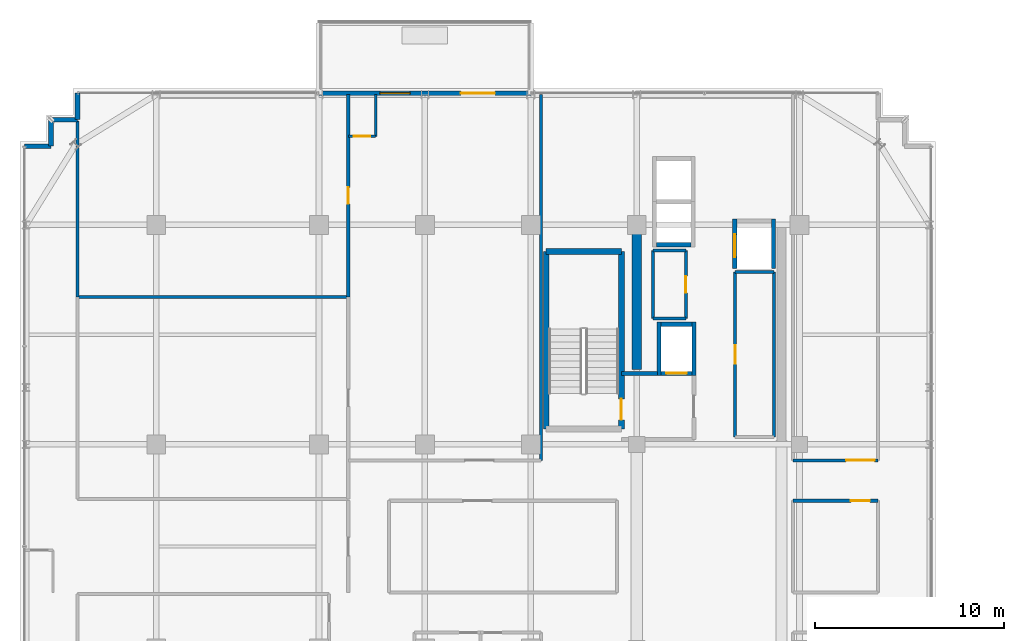
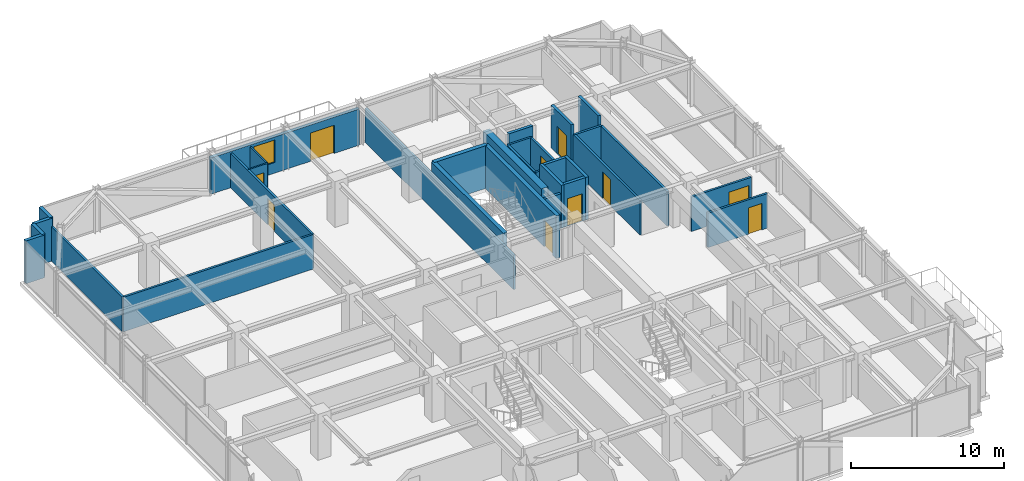
# One storey, part 38 of 42: 32 walls, 10 doors, 1 window, 11 openings.
"""IFC4 building model written with IfcOpenShell, lengths in metres."""

from ifc_helpers import new_model, si_unit, direction, frame, frame_2d, origin, place, context, subcontext, project, spatial, rectangle, extrude, source, transform, mapped, material, layer, layer_set, type_object, element, fill, save


model = new_model("IFC4")

# Units and contexts
model_context = context("Model", 3, precision=1e-05, world=origin(), true_north=direction((0.0, 1.0)))
body_context = subcontext(model_context, "Body", "Model", "MODEL_VIEW")
ifc_project = project(units=[si_unit("LENGTHUNIT", "METRE"), si_unit("AREAUNIT", "SQUARE_METRE"), si_unit("VOLUMEUNIT", "CUBIC_METRE"), si_unit("PLANEANGLEUNIT", "RADIAN"), si_unit("MASSUNIT", "GRAM", prefix="KILO")], contexts=[model_context])

# Site, building, storey
site_placement = place(None, origin())
site = spatial("IfcSite", under=ifc_project, at=site_placement, CompositionType="ELEMENT")
building_placement = place(site_placement, origin())
building = spatial("IfcBuilding", under=site, at=building_placement, Name="Nahalor Promenade Grand Hotel", CompositionType="ELEMENT")
storey_placement = place(building_placement, frame((0.0, 0.0, 249.300048828125)))
storey = spatial("IfcBuildingStorey", under=building, at=storey_placement, Name="L64", CompositionType="ELEMENT", Elevation=249.300048828125)

# Walls
ifc_material_1 = material(Name="Concrete B-60 (C50/60)", Category="concrete")
ifc_layer_1 = layer(ifc_material_1, 0.5)
ifc_layer_set_1 = layer_set([ifc_layer_1], Name="Concrete B-60 (C50/60)")
wall_type_1 = type_object("IfcWallType", Name="Wall-CoreShear-500", PredefinedType="SHEAR", material=ifc_layer_set_1)
shared_shape_1 = source(origin(), body_context, "Body", "SweptSolid", [
    extrude(rectangle(XDim=7.64990234375, YDim=0.5, at=frame_2d((3.824951171875, 0.0))), origin(), (0.0, 0.0, 1.0), 3.409912109375),
])
wall_1_placement = place(storey_placement, frame((8.39990234375, 9.35009765625, 0.0), z_axis=(0.0, 0.0, 1.0), x_axis=(0.0, 1.0, 0.0)))
element("IfcWall", 1, at=wall_1_placement, inside=storey, type_object=wall_type_1, Name="CWALL-L64-NW", PredefinedType="SHEAR", context=body_context, shape_type="MappedRepresentation", body=[
    mapped(shared_shape_1, transform((0.0, 0.0, 0.0), scale=1.0)),
])
ifc_material_2 = material(Name="Concrete B-50 (C40/50)", Category="concrete")
ifc_layer_2 = layer(ifc_material_2, 0.300048828125)
ifc_layer_set_2 = layer_set([ifc_layer_2], Name="Concrete B-50 (C40/50)")
wall_type_2 = type_object("IfcWallType", Name="Wall-ShaftShear-300", PredefinedType="SHEAR", material=ifc_layer_set_2)
shared_shape_2 = source(origin(), body_context, "Body", "SweptSolid", [
    extrude(rectangle(XDim=3.97998046875, YDim=0.300048828125, at=frame_2d((1.989990234375, 0.0))), origin(), (0.0, 0.0, 1.0), 3.409912109375),
])
wall_2_placement = place(storey_placement, frame((3.610107421875, 15.590087890625, 0.0), z_axis=(0.0, 0.0, 1.0), x_axis=(1.0, 0.0, 0.0)))
element("IfcWall", 2, at=wall_2_placement, inside=storey, type_object=wall_type_2, Name="L64 Exit Stair ST1 Shaft Wall N", PredefinedType="SHEAR", context=body_context, shape_type="MappedRepresentation", body=[
    mapped(shared_shape_2, transform((0.0, 0.0, 0.0), scale=1.0)),
])
shared_shape_3 = source(origin(), body_context, "Body", "SweptSolid", [
    extrude(rectangle(XDim=9.380126953125, YDim=0.300048828125, at=frame_2d((4.68994140625, 0.0))), origin(), (0.0, 0.0, 1.0), 3.409912109375),
])
wall_3_placement = place(storey_placement, frame((3.610107421875, 6.2099609375, 0.0), z_axis=(0.0, 0.0, 1.0), x_axis=(0.0, 1.0, 0.0)))
element("IfcWall", 3, at=wall_3_placement, inside=storey, type_object=wall_type_2, Name="L64 Exit Stair ST1 Shaft Wall W", PredefinedType="SHEAR", context=body_context, shape_type="MappedRepresentation", body=[
    mapped(shared_shape_3, transform((0.0, 0.0, 0.0), scale=1.0)),
])

# Wall, opening, door
wall_4_placement = place(storey_placement, frame((7.590087890625, 6.2099609375, 0.0), z_axis=(0.0, 0.0, 1.0), x_axis=(0.0, 1.0, 0.0)))
wall_4 = element("IfcWall", 4, at=wall_4_placement, inside=storey, type_object=wall_type_2, Name="L64 Exit Stair ST1 Shaft Wall E", PredefinedType="SHEAR", context=body_context, shape_type="MappedRepresentation", body=[
    mapped(shared_shape_3, transform((0.0, 0.0, 0.0), scale=1.0)),
])
opening_1_placement = place(wall_4_placement, frame((0.489990234375, 0.0, 0.0)))
opening_1 = element("IfcOpeningElement", 5, at=opening_1_placement, cuts=wall_4, Name="Opening D-ST1", PredefinedType="OPENING", context=body_context, shape_type="SweptSolid", body=[
    extrude(rectangle(XDim=1.10009765625, YDim=2.14990234375, at=frame_2d((0.550048828125, 1.074951171875))), frame((0.0, 0.159912109375, 0.0), z_axis=(0.0, -1.0, 0.0), x_axis=(1.0, 0.0, 0.0)), (0.0, 0.0, 1.0), 0.320068359375),
])
ifc_material_3 = material(Name="Steel S355JR", Category="steel")
door_type_1 = type_object("IfcDoorType", Name="Door-StairFire-1100", OperationType="NOTDEFINED", PredefinedType="DOOR", material=ifc_material_3)
shared_shape_4 = source(origin(), body_context, "Body", "SweptSolid", [
    extrude(rectangle(XDim=1.10009765625, YDim=2.14990234375, at=frame_2d((0.550048828125, 1.074951171875))), frame((0.0, 0.02490234375, 0.0), z_axis=(0.0, -1.0, 0.0), x_axis=(1.0, 0.0, 0.0)), (0.0, 0.0, 1.0), 0.050048828125),
])
door_1_placement = place(opening_1_placement, origin())
door_1 = element("IfcDoor", 6, at=door_1_placement, inside=storey, type_object=door_type_1, Name="DR-STAIR-ST1-L64", OperationType="SINGLE_SWING_LEFT", OverallHeight=2.14990234375, OverallWidth=1.10009765625, PredefinedType="DOOR", context=body_context, shape_type="MappedRepresentation", body=[
    mapped(shared_shape_4, transform((0.0, 0.0, 0.0), scale=1.0)),
])
fill(opening_1, door_1)

# Walls
ifc_layer_3 = layer(ifc_material_2, 0.219970703125)
ifc_layer_set_3 = layer_set([ifc_layer_3], Name="Concrete B-50 (C40/50)")
wall_type_3 = type_object("IfcWallType", Name="Wall-LiftShaft-220", PredefinedType="SHEAR", material=ifc_layer_set_3)
shared_shape_5 = source(origin(), body_context, "Body", "SweptSolid", [
    extrude(rectangle(XDim=1.820068359375, YDim=0.219970703125, at=frame_2d((0.91015625, 0.0))), origin(), (0.0, 0.0, 1.0), 3.409912109375),
])
wall_5_placement = place(storey_placement, frame((9.43994140625, 15.949951171875, 0.0), z_axis=(0.0, 0.0, 1.0), x_axis=(1.0, 0.0, 0.0)))
element("IfcWall", 7, at=wall_5_placement, inside=storey, type_object=wall_type_3, Name="L64 Lift OB1 Hoistway Wall S", PredefinedType="SHEAR", context=body_context, shape_type="MappedRepresentation", body=[
    mapped(shared_shape_5, transform((0.0, 0.0, 0.0), scale=1.0)),
])
shared_shape_6 = source(origin(), body_context, "Body", "SweptSolid", [
    extrude(rectangle(XDim=2.820068359375, YDim=0.219970703125, at=frame_2d((1.41015625, 0.0))), origin(), (0.0, 0.0, 1.0), 3.409912109375),
])
for number, where, z_axis, x_axis, name in (
    (8, (9.580078125, 9.0400390625, 0.0), (0.0, 0.0, 1.0), (0.0, 1.0, 0.0), "L64 Lift FL1 Hoistway Wall W"),
    (9, (11.419921875, 9.0400390625, 0.0), (0.0, 0.0, 1.0), (0.0, 1.0, 0.0), "L64 Lift FL1 Hoistway Wall E"),
):
    element("IfcWall", number, at=place(storey_placement, frame(where, z_axis=z_axis, x_axis=x_axis)), inside=storey, type_object=wall_type_3, Name=name, PredefinedType="SHEAR", context=body_context, shape_type="MappedRepresentation", body=[
        mapped(shared_shape_6, transform((0.0, 0.0, 0.0), scale=1.0)),
    ])

# Wall, opening, door
shared_shape_7 = source(origin(), body_context, "Body", "SweptSolid", [
    extrude(rectangle(XDim=1.6201171875, YDim=0.219970703125, at=frame_2d((0.81005859375, 0.0))), origin(), (0.0, 0.0, 1.0), 3.409912109375),
])
wall_6_placement = place(storey_placement, frame((9.68994140625, 9.14990234375, 0.0), z_axis=(0.0, 0.0, 1.0), x_axis=(1.0, 0.0, 0.0)))
wall_6 = element("IfcWall", 10, at=wall_6_placement, inside=storey, type_object=wall_type_3, Name="L64 Lift FL1 Hoistway Wall S", PredefinedType="SHEAR", context=body_context, shape_type="MappedRepresentation", body=[
    mapped(shared_shape_7, transform((0.0, 0.0, 0.0), scale=1.0)),
])
opening_2_placement = place(wall_6_placement, frame((0.260009765625, 0.0, 0.0)))
opening_2 = element("IfcOpeningElement", 11, at=opening_2_placement, cuts=wall_6, Name="Opening LD-02", PredefinedType="OPENING", context=body_context, shape_type="SweptSolid", body=[
    extrude(rectangle(XDim=1.10009765625, YDim=2.199951171875, at=frame_2d((0.550048828125, 1.10009765625))), frame((0.0, 0.119873046875, 0.0), z_axis=(0.0, -1.0, 0.0), x_axis=(1.0, 0.0, 0.0)), (0.0, 0.0, 1.0), 0.239990234375),
])
door_type_2 = type_object("IfcDoorType", Name="Door-LiftFF-1100", OperationType="DOUBLE_DOOR_SLIDING", PredefinedType="DOOR", material=ifc_material_3)
shared_shape_8 = source(origin(), body_context, "Body", "SweptSolid", [
    extrude(rectangle(XDim=1.10009765625, YDim=2.199951171875, at=frame_2d((0.550048828125, 1.10009765625))), frame((0.0, 0.02490234375, 0.0), z_axis=(0.0, -1.0, 0.0), x_axis=(1.0, 0.0, 0.0)), (0.0, 0.0, 1.0), 0.050048828125),
])
door_2_placement = place(opening_2_placement, frame((1.10009765625, 0.0, 0.0), z_axis=(0.0, 0.0, 1.0), x_axis=(-1.0, 0.0, 0.0)))
door_2 = element("IfcDoor", 12, at=door_2_placement, inside=storey, type_object=door_type_2, Name="DR-LIFT-FL1-L64", OperationType="DOUBLE_DOOR_SLIDING", OverallHeight=2.199951171875, OverallWidth=1.10009765625, PredefinedType="DOOR", context=body_context, shape_type="MappedRepresentation", body=[
    mapped(shared_shape_8, transform((0.0, 0.0, 0.0), scale=1.0)),
])
fill(opening_2, door_2)

# Wall
wall_7_placement = place(storey_placement, frame((9.68994140625, 11.75, 0.0), z_axis=(0.0, 0.0, 1.0), x_axis=(1.0, 0.0, 0.0)))
element("IfcWall", 13, at=wall_7_placement, inside=storey, type_object=wall_type_3, Name="L64 Lift FL1 Hoistway Wall N", PredefinedType="SHEAR", context=body_context, shape_type="MappedRepresentation", body=[
    mapped(shared_shape_7, transform((0.0, 0.0, 0.0), scale=1.0)),
])

# Wall, opening, door
shared_shape_9 = source(origin(), body_context, "Body", "SweptSolid", [
    extrude(rectangle(XDim=2.610107421875, YDim=0.219970703125, at=frame_2d((1.30517578125, 0.0))), origin(), (0.0, 0.0, 1.0), 3.409912109375),
])
wall_8_placement = place(storey_placement, frame((13.580078125, 14.699951171875, 0.0), z_axis=(0.0, 0.0, 1.0), x_axis=(0.0, 1.0, 0.0)))
wall_8 = element("IfcWall", 14, at=wall_8_placement, inside=storey, type_object=wall_type_3, Name="L64 Lift SV1 Hoistway Wall W", PredefinedType="SHEAR", context=body_context, shape_type="MappedRepresentation", body=[
    mapped(shared_shape_9, transform((0.0, 0.0, 0.0), scale=1.0)),
])
opening_3_placement = place(wall_8_placement, frame((0.60009765625, 0.0, 0.0)))
opening_3 = element("IfcOpeningElement", 15, at=opening_3_placement, cuts=wall_8, Name="Opening LD-03", PredefinedType="OPENING", context=body_context, shape_type="SweptSolid", body=[
    extrude(rectangle(XDim=1.199951171875, YDim=2.199951171875, at=frame_2d((0.60009765625, 1.10009765625))), frame((0.0, 0.119873046875, 0.0), z_axis=(0.0, -1.0, 0.0), x_axis=(1.0, 0.0, 0.0)), (0.0, 0.0, 1.0), 0.239990234375),
])
door_type_3 = type_object("IfcDoorType", Name="Door-LiftService-1200", OperationType="DOUBLE_DOOR_SLIDING", PredefinedType="DOOR", material=ifc_material_3)
shared_shape_10 = source(origin(), body_context, "Body", "SweptSolid", [
    extrude(rectangle(XDim=1.199951171875, YDim=2.199951171875, at=frame_2d((0.60009765625, 1.10009765625))), frame((0.0, 0.02490234375, 0.0), z_axis=(0.0, -1.0, 0.0), x_axis=(1.0, 0.0, 0.0)), (0.0, 0.0, 1.0), 0.050048828125),
])
door_3_placement = place(opening_3_placement, origin())
door_3 = element("IfcDoor", 16, at=door_3_placement, inside=storey, type_object=door_type_3, Name="DR-LIFT-SV1-L64", OperationType="DOUBLE_DOOR_SLIDING", OverallHeight=2.199951171875, OverallWidth=1.199951171875, PredefinedType="DOOR", context=body_context, shape_type="MappedRepresentation", body=[
    mapped(shared_shape_10, transform((0.0, 0.0, 0.0), scale=1.0)),
])
fill(opening_3, door_3)

# Walls
wall_9_placement = place(storey_placement, frame((15.6201171875, 14.699951171875, 0.0), z_axis=(0.0, 0.0, 1.0), x_axis=(0.0, 1.0, 0.0)))
element("IfcWall", 17, at=wall_9_placement, inside=storey, type_object=wall_type_3, Name="L64 Lift SV1 Hoistway Wall E", PredefinedType="SHEAR", context=body_context, shape_type="MappedRepresentation", body=[
    mapped(shared_shape_9, transform((0.0, 0.0, 0.0), scale=1.0)),
])
ifc_material_4 = material(Name="Concrete B-40 (C32/40)", Category="concrete")
ifc_layer_4 = layer(ifc_material_4, 0.25)
ifc_layer_set_4 = layer_set([ifc_layer_4], Name="Concrete B-40 (C32/40)")
wall_type_4 = type_object("IfcWallType", Name="Wall-BronzePier-250", PredefinedType="STANDARD", material=ifc_layer_set_4)
shared_shape_11 = source(origin(), body_context, "Body", "SweptSolid", [
    extrude(rectangle(XDim=1.39990234375, YDim=0.25, at=frame_2d((0.699951171875, 0.0))), origin(), (0.0, 0.0, 1.0), 3.409912109375),
])
for number, where, z_axis, x_axis, name in (
    (18, (-21.159912109375, 22.56005859375, 0.0), (0.0, 0.0, 1.0), (0.0, 1.0, 0.0), "W-L64-SR-09"),
    (19, (-23.9599609375, 21.159912109375, 0.0), (0.0, 0.0, 1.0), (1.0, 0.0, 0.0), "W-L64-SR-12"),
):
    element("IfcWall", number, at=place(storey_placement, frame(where, z_axis=z_axis, x_axis=x_axis)), inside=storey, type_object=wall_type_4, Name=name, PredefinedType="STANDARD", context=body_context, shape_type="MappedRepresentation", body=[
        mapped(shared_shape_11, transform((0.0, 0.0, 0.0), scale=1.0)),
    ])
shared_shape_12 = source(origin(), body_context, "Body", "SweptSolid", [
    extrude(rectangle(XDim=1.400146484375, YDim=0.25, at=frame_2d((0.7001953125, 0.0))), origin(), (0.0, 0.0, 1.0), 3.409912109375),
])
for number, where, z_axis, x_axis, name in (
    (20, (-22.56005859375, 22.56005859375, 0.0), (0.0, 0.0, 1.0), (1.0, 0.0, 0.0), "W-L64-SR-10"),
    (21, (-22.56005859375, 21.159912109375, 0.0), (0.0, 0.0, 1.0), (0.0, 1.0, 0.0), "W-L64-SR-11"),
):
    element("IfcWall", number, at=place(storey_placement, frame(where, z_axis=z_axis, x_axis=x_axis)), inside=storey, type_object=wall_type_4, Name=name, PredefinedType="STANDARD", context=body_context, shape_type="MappedRepresentation", body=[
        mapped(shared_shape_12, transform((0.0, 0.0, 0.0), scale=1.0)),
    ])

# Wall, openings, door, window
ifc_layer_5 = layer(ifc_material_4, 0.260009765625)
ifc_layer_set_5 = layer_set([ifc_layer_5], Name="Concrete B-40 (C32/40)")
wall_type_5 = type_object("IfcWallType", Name="Wall-BalconyWall-260", PredefinedType="STANDARD", material=ifc_layer_set_5)
shared_shape_13 = source(origin(), body_context, "Body", "SweptSolid", [
    extrude(rectangle(XDim=11.199951171875, YDim=0.260009765625, at=frame_2d((5.60009765625, 0.0))), origin(), (0.0, 0.0, 1.0), 2.889892578125),
])
wall_10_placement = place(storey_placement, frame((-8.39990234375, 23.9599609375, 0.0), z_axis=(0.0, 0.0, 1.0), x_axis=(1.0, 0.0, 0.0)))
wall_10 = element("IfcWall", 22, at=wall_10_placement, inside=storey, type_object=wall_type_5, Name="W-L64-BALC-N-2", PredefinedType="STANDARD", context=body_context, shape_type="MappedRepresentation", body=[
    mapped(shared_shape_13, transform((0.0, 0.0, 0.0), scale=1.0)),
])
opening_4_placement = place(wall_10_placement, frame((7.5, 0.0, 0.0)))
opening_4 = element("IfcOpeningElement", 23, at=opening_4_placement, cuts=wall_10, Name="Opening D-BC1", PredefinedType="OPENING", context=body_context, shape_type="SweptSolid", body=[
    extrude(rectangle(XDim=1.800048828125, YDim=2.25, at=frame_2d((0.89990234375, 1.125))), frame((0.0, 0.139892578125, 0.0), z_axis=(0.0, -1.0, 0.0), x_axis=(1.0, 0.0, 0.0)), (0.0, 0.0, 1.0), 0.280029296875),
])
opening_5_placement = place(wall_10_placement, frame((3.22509765625, 0.0, 0.85009765625)))
opening_5 = element("IfcOpeningElement", 24, at=opening_5_placement, cuts=wall_10, Name="Opening WN-03", PredefinedType="OPENING", context=body_context, shape_type="SweptSolid", body=[
    extrude(rectangle(XDim=1.60009765625, YDim=1.800048828125, at=frame_2d((0.800048828125, 0.89990234375))), frame((0.0, 0.139892578125, 0.0), z_axis=(0.0, -1.0, 0.0), x_axis=(1.0, 0.0, 0.0)), (0.0, 0.0, 1.0), 0.280029296875),
])
ifc_material_5 = material(Name="Anodised Bronze Aluminium EN AW-6063 T6", Category="aluminium")
door_type_4 = type_object("IfcDoorType", Name="Door-BalconySlide-1800", OperationType="DOUBLE_DOOR_SLIDING", PredefinedType="DOOR", material=ifc_material_5)
shared_shape_14 = source(origin(), body_context, "Body", "SweptSolid", [
    extrude(rectangle(XDim=1.800048828125, YDim=2.25, at=frame_2d((0.89990234375, 1.125))), frame((0.0, 0.02490234375, 0.0), z_axis=(0.0, -1.0, 0.0), x_axis=(1.0, 0.0, 0.0)), (0.0, 0.0, 1.0), 0.050048828125),
])
door_4_placement = place(opening_4_placement, origin())
door_4 = element("IfcDoor", 25, at=door_4_placement, inside=storey, type_object=door_type_4, Name="DR-L64-BALC-N-2", OperationType="DOUBLE_DOOR_SLIDING", OverallHeight=2.25, OverallWidth=1.800048828125, PredefinedType="DOOR", context=body_context, shape_type="MappedRepresentation", body=[
    mapped(shared_shape_14, transform((0.0, 0.0, 0.0), scale=1.0)),
])
fill(opening_4, door_4)
ifc_material_6 = material(Name="Low-E Laminated Solar Glass", Category="glass")
window_type = type_object("IfcWindowType", Name="Win-CrownVented-1600x1800", PartitioningType="SINGLE_PANEL", PredefinedType="WINDOW", material=ifc_material_6)
shared_shape_15 = source(origin(), body_context, "Body", "SweptSolid", [
    extrude(rectangle(XDim=1.60009765625, YDim=1.800048828125, at=frame_2d((0.800048828125, 0.89990234375))), frame((0.0, 0.030029296875, 0.0), z_axis=(0.0, -1.0, 0.0), x_axis=(1.0, 0.0, 0.0)), (0.0, 0.0, 1.0), 0.06005859375),
])
window_placement = place(opening_5_placement, origin())
window = element("IfcWindow", 26, at=window_placement, inside=storey, type_object=window_type, Name="WN-L64-BALC-N-2-1", OverallHeight=1.800048828125, OverallWidth=1.60009765625, PartitioningType="SINGLE_PANEL", PredefinedType="WINDOW", context=body_context, shape_type="MappedRepresentation", body=[
    mapped(shared_shape_15, transform((0.0, 0.0, 0.0), scale=1.0)),
])
fill(opening_5, window)

# Walls
ifc_layer_6 = layer(ifc_material_4, 0.199951171875)
ifc_layer_set_6 = layer_set([ifc_layer_6], Name="Concrete B-40 (C32/40)")
wall_type_6 = type_object("IfcWallType", Name="Wall-PartFire-200", PredefinedType="PARTITIONING", material=ifc_layer_set_6)
shared_shape_16 = source(origin(), body_context, "Body", "SweptSolid", [
    extrude(rectangle(XDim=1.89990234375, YDim=0.199951171875, at=frame_2d((0.949951171875, 0.0))), origin(), (0.0, 0.0, 1.0), 2.75),
])
wall_11_placement = place(storey_placement, frame((7.60009765625, 9.14990234375, 0.0), z_axis=(0.0, 0.0, 1.0), x_axis=(1.0, 0.0, 0.0)))
element("IfcWall", 27, at=wall_11_placement, inside=storey, type_object=wall_type_6, Name="W-L64-FF1-N", PredefinedType="PARTITIONING", context=body_context, shape_type="MappedRepresentation", body=[
    mapped(shared_shape_16, transform((0.0, 0.0, 0.0), scale=1.0)),
])
ifc_material_7 = material(Name="Acoustic Mineral Gypsum", Category="gypsum")
ifc_layer_7 = layer(ifc_material_7, 0.14990234375)
ifc_layer_set_7 = layer_set([ifc_layer_7], Name="Acoustic Mineral Gypsum")
wall_type_7 = type_object("IfcWallType", Name="Wall-PartService-150", PredefinedType="PARTITIONING", material=ifc_layer_set_7)
shared_shape_17 = source(origin(), body_context, "Body", "SweptSolid", [
    extrude(rectangle(XDim=1.75, YDim=0.14990234375, at=frame_2d((0.875, 0.0))), origin(), (0.0, 0.0, 1.0), 2.75),
])
for number, where, z_axis, x_axis, name in (
    (28, (9.25, 12.050048828125, 0.0), (0.0, 0.0, 1.0), (1.0, 0.0, 0.0), "W-L64-CK1A-S"),
    (29, (9.25, 15.64990234375, 0.0), (0.0, 0.0, 1.0), (1.0, 0.0, 0.0), "W-L64-CK1A-N"),
):
    element("IfcWall", number, at=place(storey_placement, frame(where, z_axis=z_axis, x_axis=x_axis)), inside=storey, type_object=wall_type_7, Name=name, PredefinedType="PARTITIONING", context=body_context, shape_type="MappedRepresentation", body=[
        mapped(shared_shape_17, transform((0.0, 0.0, 0.0), scale=1.0)),
    ])
shared_shape_18 = source(origin(), body_context, "Body", "SweptSolid", [
    extrude(rectangle(XDim=3.599853515625, YDim=0.14990234375, at=frame_2d((1.7998046875, 0.0))), origin(), (0.0, 0.0, 1.0), 2.75),
])
wall_12_placement = place(storey_placement, frame((9.25, 12.050048828125, 0.0), z_axis=(0.0, 0.0, 1.0), x_axis=(0.0, 1.0, 0.0)))
element("IfcWall", 30, at=wall_12_placement, inside=storey, type_object=wall_type_7, Name="W-L64-CK1A-W", PredefinedType="PARTITIONING", context=body_context, shape_type="MappedRepresentation", body=[
    mapped(shared_shape_18, transform((0.0, 0.0, 0.0), scale=1.0)),
])

# Wall, opening, door
wall_13_placement = place(storey_placement, frame((11.0, 12.050048828125, 0.0), z_axis=(0.0, 0.0, 1.0), x_axis=(0.0, 1.0, 0.0)))
wall_13 = element("IfcWall", 31, at=wall_13_placement, inside=storey, type_object=wall_type_7, Name="W-L64-CK1A-E", PredefinedType="PARTITIONING", context=body_context, shape_type="MappedRepresentation", body=[
    mapped(shared_shape_18, transform((0.0, 0.0, 0.0), scale=1.0)),
])
opening_6_placement = place(wall_13_placement, frame((1.360107421875, 0.0, 0.0)))
opening_6 = element("IfcOpeningElement", 32, at=opening_6_placement, cuts=wall_13, Name="Opening D-03", PredefinedType="OPENING", context=body_context, shape_type="SweptSolid", body=[
    extrude(rectangle(XDim=0.8798828125, YDim=2.10009765625, at=frame_2d((0.43994140625, 1.050048828125))), frame((0.0, 0.0849609375, 0.0), z_axis=(0.0, -1.0, 0.0), x_axis=(1.0, 0.0, 0.0)), (0.0, 0.0, 1.0), 0.169921875),
])
ifc_material_8 = material(Name="Fire-Rated Timber Composite", Category="wood")
door_type_5 = type_object("IfcDoorType", Name="Door-BathSwing-880", OperationType="NOTDEFINED", PredefinedType="DOOR", material=ifc_material_8)
shared_shape_19 = source(origin(), body_context, "Body", "SweptSolid", [
    extrude(rectangle(XDim=0.8798828125, YDim=2.10009765625, at=frame_2d((0.43994140625, 1.050048828125))), frame((0.0, 0.02490234375, 0.0), z_axis=(0.0, -1.0, 0.0), x_axis=(1.0, 0.0, 0.0)), (0.0, 0.0, 1.0), 0.050048828125),
])
door_5_placement = place(opening_6_placement, origin())
door_5 = element("IfcDoor", 33, at=door_5_placement, inside=storey, type_object=door_type_5, Name="DR-L64-CK1A", OperationType="SINGLE_SWING_LEFT", OverallHeight=2.10009765625, OverallWidth=0.8798828125, PredefinedType="DOOR", context=body_context, shape_type="MappedRepresentation", body=[
    mapped(shared_shape_19, transform((0.0, 0.0, 0.0), scale=1.0)),
])
fill(opening_6, door_5)

# Wall
ifc_layer_8 = layer(ifc_material_7, 0.159912109375)
ifc_layer_set_8 = layer_set([ifc_layer_8], Name="Acoustic Mineral Gypsum")
wall_type_8 = type_object("IfcWallType", Name="Wall-PartCorridor-160", PredefinedType="PARTITIONING", material=ifc_layer_set_8)
shared_shape_20 = source(origin(), body_context, "Body", "SweptSolid", [
    extrude(rectangle(XDim=2.0498046875, YDim=0.159912109375, at=frame_2d((1.02490234375, 0.0))), origin(), (0.0, 0.0, 1.0), 2.75),
])
wall_14_placement = place(storey_placement, frame((13.60009765625, 14.5, 0.0), z_axis=(0.0, 0.0, 1.0), x_axis=(1.0, 0.0, 0.0)))
element("IfcWall", 34, at=wall_14_placement, inside=storey, type_object=wall_type_8, Name="W-L64-FRB1-N", PredefinedType="PARTITIONING", context=body_context, shape_type="MappedRepresentation", body=[
    mapped(shared_shape_20, transform((0.0, 0.0, 0.0), scale=1.0)),
])

# Wall, opening, door
shared_shape_21 = source(origin(), body_context, "Body", "SweptSolid", [
    extrude(rectangle(XDim=8.699951171875, YDim=0.159912109375, at=frame_2d((4.35009765625, 0.0))), origin(), (0.0, 0.0, 1.0), 2.75),
])
wall_15_placement = place(storey_placement, frame((13.60009765625, 5.800048828125, 0.0), z_axis=(0.0, 0.0, 1.0), x_axis=(0.0, 1.0, 0.0)))
wall_15 = element("IfcWall", 35, at=wall_15_placement, inside=storey, type_object=wall_type_8, Name="W-L64-FRB1-W", PredefinedType="PARTITIONING", context=body_context, shape_type="MappedRepresentation", body=[
    mapped(shared_shape_21, transform((0.0, 0.0, 0.0), scale=1.0)),
])
opening_7_placement = place(wall_15_placement, frame((3.85009765625, 0.0, 0.0)))
opening_7 = element("IfcOpeningElement", 36, at=opening_7_placement, cuts=wall_15, Name="Opening D-04", PredefinedType="OPENING", context=body_context, shape_type="SweptSolid", body=[
    extrude(rectangle(XDim=1.0, YDim=2.10009765625, at=frame_2d((0.5, 1.050048828125))), frame((0.0, 0.08984375, 0.0), z_axis=(0.0, -1.0, 0.0), x_axis=(1.0, 0.0, 0.0)), (0.0, 0.0, 1.0), 0.179931640625),
])
door_type_6 = type_object("IfcDoorType", Name="Door-ServiceFire-1000", OperationType="NOTDEFINED", PredefinedType="DOOR", material=ifc_material_3)
shared_shape_22 = source(origin(), body_context, "Body", "SweptSolid", [
    extrude(rectangle(XDim=1.0, YDim=2.10009765625, at=frame_2d((0.5, 1.050048828125))), frame((0.0, 0.02490234375, 0.0), z_axis=(0.0, -1.0, 0.0), x_axis=(1.0, 0.0, 0.0)), (0.0, 0.0, 1.0), 0.050048828125),
])
door_6_placement = place(opening_7_placement, frame((1.0, 0.0, 0.0), z_axis=(0.0, 0.0, 1.0), x_axis=(-1.0, 0.0, 0.0)))
door_6 = element("IfcDoor", 37, at=door_6_placement, inside=storey, type_object=door_type_6, Name="DR-L64-FRB1", OperationType="SINGLE_SWING_RIGHT", OverallHeight=2.10009765625, OverallWidth=1.0, PredefinedType="DOOR", context=body_context, shape_type="MappedRepresentation", body=[
    mapped(shared_shape_22, transform((0.0, 0.0, 0.0), scale=1.0)),
])
fill(opening_7, door_6)

# Walls
wall_16_placement = place(storey_placement, frame((15.64990234375, 5.800048828125, 0.0), z_axis=(0.0, 0.0, 1.0), x_axis=(0.0, 1.0, 0.0)))
element("IfcWall", 38, at=wall_16_placement, inside=storey, type_object=wall_type_8, Name="W-L64-FRB1-E", PredefinedType="PARTITIONING", context=body_context, shape_type="MappedRepresentation", body=[
    mapped(shared_shape_21, transform((0.0, 0.0, 0.0), scale=1.0)),
])
ifc_layer_9 = layer(ifc_material_7, 0.1201171875)
ifc_layer_set_9 = layer_set([ifc_layer_9], Name="Acoustic Mineral Gypsum")
wall_type_9 = type_object("IfcWallType", Name="Wall-PartBath-120", PredefinedType="PARTITIONING", material=ifc_layer_set_9)
shared_shape_23 = source(origin(), body_context, "Body", "SweptSolid", [
    extrude(rectangle(XDim=2.219970703125, YDim=0.1201171875, at=frame_2d((1.10986328125, 0.0))), origin(), (0.0, 0.0, 1.0), 2.75),
])
wall_17_placement = place(storey_placement, frame((-5.39990234375, 21.679931640625, 0.0), z_axis=(0.0, 0.0, 1.0), x_axis=(0.0, 1.0, 0.0)))
element("IfcWall", 39, at=wall_17_placement, inside=storey, type_object=wall_type_9, Name="W-L64-N1-BV", PredefinedType="PARTITIONING", context=body_context, shape_type="MappedRepresentation", body=[
    mapped(shared_shape_23, transform((0.0, 0.0, 0.0), scale=1.0)),
])
ifc_layer_10 = layer(ifc_material_7, 0.139892578125)
ifc_layer_set_10 = layer_set([ifc_layer_10], Name="Acoustic Mineral Gypsum")
wall_type_10 = type_object("IfcWallType", Name="Wall-PartSuite-140", PredefinedType="PARTITIONING", material=ifc_layer_set_10)
shared_shape_24 = source(origin(), body_context, "Body", "SweptSolid", [
    extrude(rectangle(XDim=19.349853515625, YDim=0.139892578125, at=frame_2d((9.6748046875, 0.0))), origin(), (0.0, 0.0, 1.0), 2.75),
])
wall_18_placement = place(storey_placement, frame((3.340087890625, 4.550048828125, 0.0), z_axis=(0.0, 0.0, 1.0), x_axis=(0.0, 1.0, 0.0)))
element("IfcWall", 40, at=wall_18_placement, inside=storey, type_object=wall_type_10, Name="W-L64-NW-ENDE", PredefinedType="PARTITIONING", context=body_context, shape_type="MappedRepresentation", body=[
    mapped(shared_shape_24, transform((0.0, 0.0, 0.0), scale=1.0)),
])

# Wall, opening, door
shared_shape_25 = source(origin(), body_context, "Body", "SweptSolid", [
    extrude(rectangle(XDim=1.4501953125, YDim=0.1201171875, at=frame_2d((0.72509765625, 0.0))), origin(), (0.0, 0.0, 1.0), 2.75),
])
wall_19_placement = place(storey_placement, frame((-6.85009765625, 21.679931640625, 0.0), z_axis=(0.0, 0.0, 1.0), x_axis=(1.0, 0.0, 0.0)))
wall_19 = element("IfcWall", 41, at=wall_19_placement, inside=storey, type_object=wall_type_9, Name="W-L64-N1-BH", PredefinedType="PARTITIONING", context=body_context, shape_type="MappedRepresentation", body=[
    mapped(shared_shape_25, transform((0.0, 0.0, 0.0), scale=1.0)),
])
opening_8_placement = place(wall_19_placement, frame((0.284912109375, 0.0, 0.0)))
opening_8 = element("IfcOpeningElement", 42, at=opening_8_placement, cuts=wall_19, Name="Opening D-03", PredefinedType="OPENING", context=body_context, shape_type="SweptSolid", body=[
    extrude(rectangle(XDim=0.8798828125, YDim=2.10009765625, at=frame_2d((0.43994140625, 1.050048828125))), frame((0.0, 0.070068359375, 0.0), z_axis=(0.0, -1.0, 0.0), x_axis=(1.0, 0.0, 0.0)), (0.0, 0.0, 1.0), 0.14013671875),
])
door_7_placement = place(opening_8_placement, origin())
door_7 = element("IfcDoor", 43, at=door_7_placement, inside=storey, type_object=door_type_5, Name="DR-L64-N1-BATH", OperationType="SINGLE_SWING_LEFT", OverallHeight=2.10009765625, OverallWidth=0.8798828125, PredefinedType="DOOR", context=body_context, shape_type="MappedRepresentation", body=[
    mapped(shared_shape_19, transform((0.0, 0.0, 0.0), scale=1.0)),
])
fill(opening_8, door_7)

shared_shape_26 = source(origin(), body_context, "Body", "SweptSolid", [
    extrude(rectangle(XDim=4.510009765625, YDim=0.159912109375, at=frame_2d((2.2548828125, 0.0))), origin(), (0.0, 0.0, 1.0), 2.75),
])
wall_20_placement = place(storey_placement, frame((16.64990234375, 4.550048828125, 0.0), z_axis=(0.0, 0.0, 1.0), x_axis=(1.0, 0.0, 0.0)))
wall_20 = element("IfcWall", 44, at=wall_20_placement, inside=storey, type_object=wall_type_8, Name="W-L64-ENE-S", PredefinedType="PARTITIONING", context=body_context, shape_type="MappedRepresentation", body=[
    mapped(shared_shape_26, transform((0.0, 0.0, 0.0), scale=1.0)),
])
opening_9_placement = place(wall_20_placement, frame((2.820068359375, 0.0, 0.0)))
opening_9 = element("IfcOpeningElement", 45, at=opening_9_placement, cuts=wall_20, Name="Opening D-02", PredefinedType="OPENING", context=body_context, shape_type="SweptSolid", body=[
    extrude(rectangle(XDim=1.5, YDim=2.14990234375, at=frame_2d((0.75, 1.074951171875))), frame((0.0, 0.08984375, 0.0), z_axis=(0.0, -1.0, 0.0), x_axis=(1.0, 0.0, 0.0)), (0.0, 0.0, 1.0), 0.179931640625),
])
door_type_7 = type_object("IfcDoorType", Name="Door-SuiteDouble-1500", OperationType="DOUBLE_DOOR_SINGLE_SWING", PredefinedType="DOOR", material=ifc_material_8)
shared_shape_27 = source(origin(), body_context, "Body", "SweptSolid", [
    extrude(rectangle(XDim=1.5, YDim=2.14990234375, at=frame_2d((0.75, 1.074951171875))), frame((0.0, 0.02490234375, 0.0), z_axis=(0.0, -1.0, 0.0), x_axis=(1.0, 0.0, 0.0)), (0.0, 0.0, 1.0), 0.050048828125),
])
door_8_placement = place(opening_9_placement, origin())
door_8 = element("IfcDoor", 46, at=door_8_placement, inside=storey, type_object=door_type_7, Name="DR-L64-ENE", OperationType="DOUBLE_DOOR_SINGLE_SWING", OverallHeight=2.14990234375, OverallWidth=1.5, PredefinedType="DOOR", context=body_context, shape_type="MappedRepresentation", body=[
    mapped(shared_shape_27, transform((0.0, 0.0, 0.0), scale=1.0)),
])
fill(opening_9, door_8)

wall_21_placement = place(storey_placement, frame((16.64990234375, 2.419921875, 0.0), z_axis=(0.0, 0.0, 1.0), x_axis=(1.0, 0.0, 0.0)))
wall_21 = element("IfcWall", 47, at=wall_21_placement, inside=storey, type_object=wall_type_8, Name="W-L64-ECW-N", PredefinedType="PARTITIONING", context=body_context, shape_type="MappedRepresentation", body=[
    mapped(shared_shape_26, transform((0.0, 0.0, 0.0), scale=1.0)),
])
opening_10_placement = place(wall_21_placement, frame((3.070068359375, 0.0, 0.0)))
opening_10 = element("IfcOpeningElement", 48, at=opening_10_placement, cuts=wall_21, Name="Opening D-04", PredefinedType="OPENING", context=body_context, shape_type="SweptSolid", body=[
    extrude(rectangle(XDim=1.0, YDim=2.10009765625, at=frame_2d((0.5, 1.050048828125))), frame((0.0, 0.08984375, 0.0), z_axis=(0.0, -1.0, 0.0), x_axis=(1.0, 0.0, 0.0)), (0.0, 0.0, 1.0), 0.179931640625),
])
door_9_placement = place(opening_10_placement, frame((1.0, 0.0, 0.0), z_axis=(0.0, 0.0, 1.0), x_axis=(-1.0, 0.0, 0.0)))
door_9 = element("IfcDoor", 49, at=door_9_placement, inside=storey, type_object=door_type_6, Name="DR-L64-ECW", OperationType="SINGLE_SWING_RIGHT", OverallHeight=2.10009765625, OverallWidth=1.0, PredefinedType="DOOR", context=body_context, shape_type="MappedRepresentation", body=[
    mapped(shared_shape_22, transform((0.0, 0.0, 0.0), scale=1.0)),
])
fill(opening_10, door_9)

# Wall
shared_shape_28 = source(origin(), body_context, "Body", "SweptSolid", [
    extrude(rectangle(XDim=14.309814453125, YDim=0.159912109375, at=frame_2d((7.15478515625, 0.0))), origin(), (0.0, 0.0, 1.0), 2.75),
])
wall_22_placement = place(storey_placement, frame((-21.159912109375, 13.199951171875, 0.0), z_axis=(0.0, 0.0, 1.0), x_axis=(1.0, 0.0, 0.0)))
element("IfcWall", 50, at=wall_22_placement, inside=storey, type_object=wall_type_8, Name="W-L64-NW0A-N", PredefinedType="PARTITIONING", context=body_context, shape_type="MappedRepresentation", body=[
    mapped(shared_shape_28, transform((0.0, 0.0, 0.0), scale=1.0)),
])

# Wall, opening, door
shared_shape_29 = source(origin(), body_context, "Body", "SweptSolid", [
    extrude(rectangle(XDim=10.699951171875, YDim=0.159912109375, at=frame_2d((5.35009765625, 0.0))), origin(), (0.0, 0.0, 1.0), 2.75),
])
wall_23_placement = place(storey_placement, frame((-6.85009765625, 13.199951171875, 0.0), z_axis=(0.0, 0.0, 1.0), x_axis=(0.0, 1.0, 0.0)))
wall_23 = element("IfcWall", 51, at=wall_23_placement, inside=storey, type_object=wall_type_8, Name="W-L64-NW0B-E", PredefinedType="PARTITIONING", context=body_context, shape_type="MappedRepresentation", body=[
    mapped(shared_shape_29, transform((0.0, 0.0, 0.0), scale=1.0)),
])
opening_11_placement = place(wall_23_placement, frame((4.909912109375, 0.0, 0.0)))
opening_11 = element("IfcOpeningElement", 52, at=opening_11_placement, cuts=wall_23, Name="Opening D-03", PredefinedType="OPENING", context=body_context, shape_type="SweptSolid", body=[
    extrude(rectangle(XDim=0.8798828125, YDim=2.10009765625, at=frame_2d((0.43994140625, 1.050048828125))), frame((0.0, 0.08984375, 0.0), z_axis=(0.0, -1.0, 0.0), x_axis=(1.0, 0.0, 0.0)), (0.0, 0.0, 1.0), 0.179931640625),
])
door_10_placement = place(opening_11_placement, origin())
door_10 = element("IfcDoor", 53, at=door_10_placement, inside=storey, type_object=door_type_5, Name="DR-L64-NW0B", OperationType="SINGLE_SWING_RIGHT", OverallHeight=2.10009765625, OverallWidth=0.8798828125, PredefinedType="DOOR", context=body_context, shape_type="MappedRepresentation", body=[
    mapped(shared_shape_19, transform((0.0, 0.0, 0.0), scale=1.0)),
])
fill(opening_11, door_10)

# Wall
shared_shape_30 = source(origin(), body_context, "Body", "SweptSolid", [
    extrude(rectangle(XDim=9.280029296875, YDim=0.159912109375, at=frame_2d((4.64013671875, 0.0))), origin(), (0.0, 0.0, 1.0), 2.75),
])
wall_24_placement = place(storey_placement, frame((-21.159912109375, 13.199951171875, 0.0), z_axis=(0.0, 0.0, 1.0), x_axis=(0.0, 1.0, 0.0)))
element("IfcWall", 54, at=wall_24_placement, inside=storey, type_object=wall_type_8, Name="W-L64-NW0B-W", PredefinedType="PARTITIONING", context=body_context, shape_type="MappedRepresentation", body=[
    mapped(shared_shape_30, transform((0.0, 0.0, 0.0), scale=1.0)),
])

save(model, "model.ifc")
